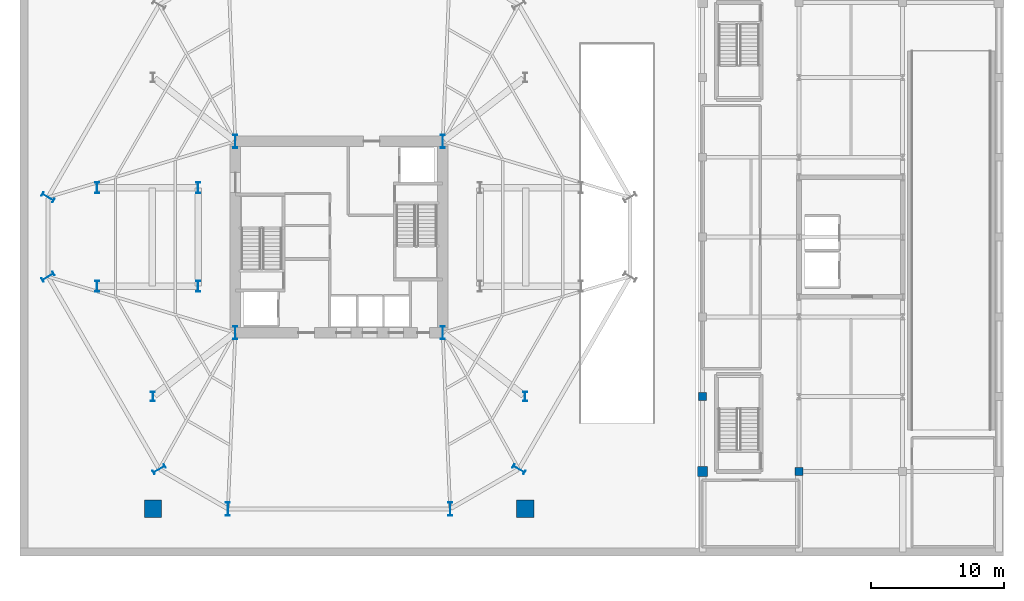
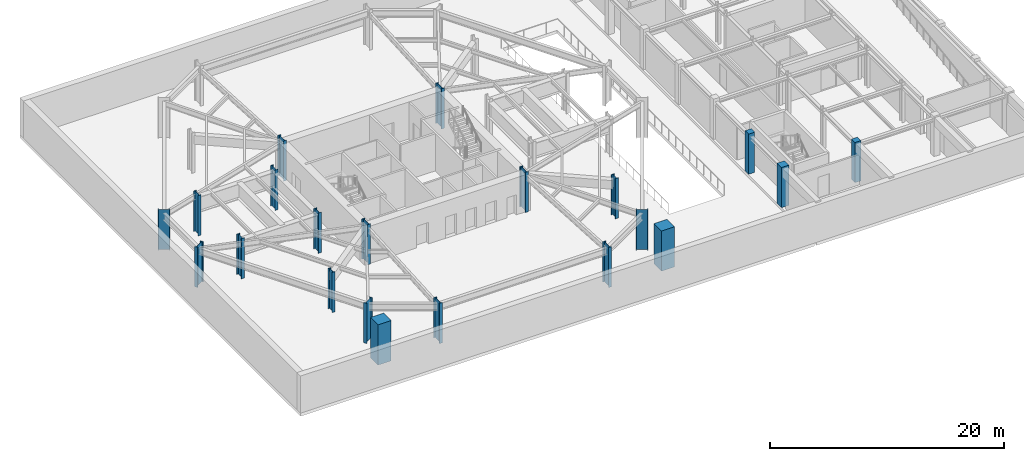
# One storey, part 1 of 12: 21 columns.
"""IFC4 building model written with IfcOpenShell, lengths in metres."""

import ifcopenshell
import ifcopenshell.guid

model = None  # the IFC model being written
_history = None  # IfcOwnerHistory: only IFC2X3 demands one
_inside = {}  # id of a spatial element -> (the spatial element, [elements in it])
_under = {}  # id of a project, library or spatial element -> (it, [spatial elements below it])
_declared = {}  # id of a project -> (the project, [libraries it declares])
_typed = {}  # id of a type object -> (the type object, [elements of that type])
_made_of = {}  # id of a material, layer set ... -> (it, [elements and type objects made of it])


def new_model(schema):
    """Start an empty IFC model of exactly this schema.

    Asked for "IFC4X3", IfcOpenShell would pick the latest addendum, in which some entities
    have other attributes; the version numbers below select the first issue.
    IFC2X3 requires an IfcOwnerHistory on every rooted entity: one is made here for all.
    """
    global model, _history
    if schema == "IFC4X3":
        model = ifcopenshell.file(schema_version=(4, 3, 0, 0))
    else:
        model = ifcopenshell.file(schema=schema)
    _inside.clear()
    _under.clear()
    _declared.clear()
    _typed.clear()
    _made_of.clear()
    _history = None
    if model.schema == "IFC2X3":
        org = make("IfcOrganization", Name="unknown")
        user = make(
            "IfcPersonAndOrganization",
            ThePerson=make("IfcPerson", FamilyName="unknown"),
            TheOrganization=org,
        )
        app = make(
            "IfcApplication",
            ApplicationDeveloper=org,
            Version="unknown",
            ApplicationFullName="unknown",
            ApplicationIdentifier="unknown",
        )
        _history = make(
            "IfcOwnerHistory",
            OwningUser=user,
            OwningApplication=app,
            ChangeAction="ADDED",
            CreationDate=0,
        )
    return model


def make(cls, **values):
    """One entity of the class cls with the attributes given. An attribute that is None is left unset."""
    return model.create_entity(
        cls, **{name: value for name, value in values.items() if value is not None}
    )


def rooted(cls, **values):
    """An entity with a GlobalId (a new one), such as an element, a storey or a relation."""
    return make(cls, GlobalId=ifcopenshell.guid.new(), OwnerHistory=_history, **values)


def si_unit(unit_type, name, prefix=None):
    """IfcSIUnit, for example si_unit("LENGTHUNIT", "METRE", prefix="MILLI")."""
    return make("IfcSIUnit", UnitType=unit_type, Prefix=prefix, Name=name)


def assignment(units):
    """IfcUnitAssignment: the units of a project."""
    return None if units is None else make("IfcUnitAssignment", Units=units)


def point(xyz):
    """IfcCartesianPoint."""
    return None if xyz is None else make("IfcCartesianPoint", Coordinates=xyz)


def direction(xyz):
    """IfcDirection."""
    return None if xyz is None else make("IfcDirection", DirectionRatios=xyz)


def frame(location, z_axis=None, x_axis=None):
    """IfcAxis2Placement3D, a coordinate frame: its origin and axes. An axis left out is left unset."""
    return make(
        "IfcAxis2Placement3D",
        Location=point(location),
        Axis=direction(z_axis),
        RefDirection=direction(x_axis),
    )


def frame_2d(location, x_axis=None):
    """IfcAxis2Placement2D, a coordinate frame in the plane: its origin and x axis."""
    return make(
        "IfcAxis2Placement2D", Location=point(location), RefDirection=direction(x_axis)
    )


def origin():
    """The frame at (0, 0, 0) with its axes left unset."""
    return frame((0.0, 0.0, 0.0))


def origin_2d():
    """The frame at (0, 0) in the plane with its x axis left unset."""
    return frame_2d((0.0, 0.0))


def place(relative_to, where):
    """IfcLocalPlacement: puts the frame where relative to a parent placement (None: the world)."""
    return make(
        "IfcLocalPlacement", PlacementRelTo=relative_to, RelativePlacement=where
    )


def context(
    kind, dimensions, precision=None, world=None, true_north=None, identifier=None
):
    """IfcGeometricRepresentationContext, for example the 3D "Model" context."""
    return make(
        "IfcGeometricRepresentationContext",
        ContextIdentifier=identifier,
        ContextType=kind,
        CoordinateSpaceDimension=dimensions,
        Precision=precision,
        WorldCoordinateSystem=world,
        TrueNorth=true_north,
    )


def subcontext(parent, identifier, kind, view, scale=None):
    """IfcGeometricRepresentationSubContext, for example "Body" below "Model"."""
    return make(
        "IfcGeometricRepresentationSubContext",
        ContextIdentifier=identifier,
        ContextType=kind,
        ParentContext=parent,
        TargetScale=scale,
        TargetView=view,
    )


def project(units=None, contexts=None):
    """IfcProject with its units and contexts."""
    return rooted(
        "IfcProject",
        Name="project",
        RepresentationContexts=contexts,
        UnitsInContext=assignment(units),
    )


def spatial(cls, under=None, at=None, **own):
    """A site, building, storey or space (cls), placed at a placement, below another one or the project."""
    s = rooted(cls, ObjectPlacement=at, **own)
    if under is not None:
        _under.setdefault(under.id(), (under, []))[1].append(s)
    return s


def profile(cls, at=None, kind="AREA", **sizes):
    """A parametric profile (cls). Its sizes go by their IFC names, for example OverallWidth=200.0."""
    return make(cls, ProfileType=kind, Position=at, **sizes)


def rectangle(**sizes):
    """IfcRectangleProfileDef."""
    return profile("IfcRectangleProfileDef", **sizes)


def i_section(**sizes):
    """IfcIShapeProfileDef."""
    return profile("IfcIShapeProfileDef", **sizes)


def extrude(swept, where, along, depth):
    """IfcExtrudedAreaSolid: the profile swept, set in the frame where, extruded along a direction by depth."""
    return make(
        "IfcExtrudedAreaSolid",
        SweptArea=swept,
        Position=where,
        ExtrudedDirection=direction(along),
        Depth=depth,
    )


def shape(context_of_items, identifier, shape_type, items):
    """IfcShapeRepresentation: the items that make up one representation, for example the "Body"."""
    return make(
        "IfcShapeRepresentation",
        ContextOfItems=context_of_items,
        RepresentationIdentifier=identifier,
        RepresentationType=shape_type,
        Items=items,
    )


def material(Name=None, Category=None):
    """IfcMaterial."""
    return make("IfcMaterial", Name=Name, Category=Category)


def material_profile(
    of_material, cross_section, Name=None, Category=None, Priority=None
):
    """IfcMaterialProfile: a cross section and its material."""
    return make(
        "IfcMaterialProfile",
        Name=Name,
        Material=of_material,
        Profile=cross_section,
        Priority=Priority,
        Category=Category,
    )


def profile_set(profiles, Name=None, composite=None):
    """IfcMaterialProfileSet."""
    return make(
        "IfcMaterialProfileSet",
        Name=Name,
        MaterialProfiles=profiles,
        CompositeProfile=composite,
    )


def made_of(thing, what):
    """Note that an element or type object is made of a material, layer set ...; save() writes the relation."""
    if what is not None:
        _made_of.setdefault(what.id(), (what, []))[1].append(thing)
    return thing


def type_object(cls, material=None, **own):
    """A type object (cls), such as IfcWallType, which elements share."""
    return made_of(rooted(cls, **own), material)


def element(
    cls,
    number,
    at=None,
    inside=None,
    cuts=None,
    type_object=None,
    material=None,
    context=None,
    identifier="Body",
    shape_type=None,
    held_by="IfcProductDefinitionShape",
    body=None,
    shapes=None,
    **own,
):
    """One element of the class cls, such as IfcWall. Its Tag is "e" and its number.

    at: its placement. inside: the storey or other place that contains it. cuts: it is an
    opening in that element (IfcRelVoidsElement). A single representation is given by context,
    identifier, shape_type and body (its items); several are given by shapes. held_by: the class
    of the entity that holds the representations. save() writes the other relations.
    """
    e = rooted(cls, Tag="e%d" % number, ObjectPlacement=at, **own)
    if body is not None:
        shapes = [shape(context, identifier, shape_type, body)]
    if shapes is not None:
        e.Representation = make(held_by, Representations=shapes)
    if inside is not None:
        _inside.setdefault(inside.id(), (inside, []))[1].append(e)
    if cuts is not None:
        rooted(
            "IfcRelVoidsElement", RelatingBuildingElement=cuts, RelatedOpeningElement=e
        )
    if type_object is not None:
        _typed.setdefault(type_object.id(), (type_object, []))[1].append(e)
    return made_of(e, material)


def aggregate(whole, parts):
    """IfcRelAggregates: a whole, such as a stair, and the parts it consists of."""
    return rooted("IfcRelAggregates", RelatingObject=whole, RelatedObjects=parts)


def save(model, path):
    """Write the relations noted so far, then the file.

    IfcRelAggregates (storeys below a building ...), IfcRelContainedInSpatialStructure (elements
    in a storey), IfcRelDefinesByType, IfcRelAssociatesMaterial and IfcRelDeclares: one each for
    every whole, place, type object, material and project.
    """
    for whole, parts in _under.values():
        aggregate(whole, parts)
    for where, things in _inside.values():
        rooted(
            "IfcRelContainedInSpatialStructure",
            RelatedElements=things,
            RelatingStructure=where,
        )
    for kind, things in _typed.values():
        rooted("IfcRelDefinesByType", RelatedObjects=things, RelatingType=kind)
    for what, things in _made_of.values():
        rooted("IfcRelAssociatesMaterial", RelatedObjects=things, RelatingMaterial=what)
    for by, libraries in _declared.values():
        rooted("IfcRelDeclares", RelatingContext=by, RelatedDefinitions=libraries)
    model.write(path)


model = new_model("IFC4")

# Units and contexts
model_context = context("Model", 3, precision=1e-05, world=origin(), true_north=direction((0.0, 1.0)))
body_context = subcontext(model_context, "Body", "Model", "MODEL_VIEW")
ifc_project = project(units=[si_unit("LENGTHUNIT", "METRE"), si_unit("AREAUNIT", "SQUARE_METRE"), si_unit("VOLUMEUNIT", "CUBIC_METRE"), si_unit("PLANEANGLEUNIT", "RADIAN"), si_unit("MASSUNIT", "GRAM", prefix="KILO")], contexts=[model_context])

# Site, building, storey
site_placement = place(None, origin())
site = spatial("IfcSite", under=ifc_project, at=site_placement, CompositionType="ELEMENT")
building_placement = place(site_placement, origin())
building = spatial("IfcBuilding", under=site, at=building_placement, Name="Kranzbogen Civic Tower", CompositionType="ELEMENT")
storey_placement = place(building_placement, frame((0.0, 0.0, -4.199951171875)))
storey = spatial("IfcBuildingStorey", under=building, at=storey_placement, Name="B01", CompositionType="ELEMENT", Elevation=-4.199951171875)

# Columns
ifc_material_1 = material(Name="Steel S460", Category="steel")
ifc_material_profile_1 = material_profile(ifc_material_1, i_section(OverallWidth=0.302001953125, OverallDepth=1.008056640625, WebThickness=0.02099609375, FlangeThickness=0.0400390625, at=origin_2d()), Name="HEM 1000")
ifc_profile_set_1 = profile_set([ifc_material_profile_1], Name="Steel S460")
column_type_1 = type_object("IfcColumnType", Name="Structural Column HEM 1000", PredefinedType="COLUMN", material=ifc_profile_set_1)
for number, where, z_axis, x_axis, name in (
    (1, (17.199951171875, 17.800048828125, 0.0), (0.0, 0.0, 1.0), (1.0, 0.0, 0.0), "B01 composite core corner column 1"),
    (2, (32.800048828125, 17.800048828125, 0.0), (0.0, 0.0, 1.0), (1.0, 0.0, 0.0), "B01 composite core corner column 2"),
    (3, (32.800048828125, 32.199951171875, 0.0), (0.0, 0.0, 1.0), (1.0, 0.0, 0.0), "B01 composite core corner column 3"),
    (4, (17.199951171875, 32.199951171875, 0.0), (0.0, 0.0, 1.0), (1.0, 0.0, 0.0), "B01 composite core corner column 4"),
    (5, (3.110107421875, 27.986083984375, 0.0), (0.0, 0.0, 1.0), (0.5, 0.866025403784, 0.0), "B01 tower perimeter tube column 06"),
    (6, (3.110107421875, 22.013916015625, 0.0), (0.0, 0.0, 1.0), (-0.5, 0.866025403784, 0.0), "B01 tower perimeter tube column 07"),
    (7, (11.468994140625, 7.535888671875, 0.0), (0.0, 0.0, 1.0), (-0.5, 0.866025403784, 0.0), "B01 tower perimeter tube column 08"),
    (8, (16.64111328125, 4.550048828125, 0.0), (0.0, 0.0, 1.0), (1.0, 0.0, 0.0), "B01 tower perimeter tube column 09"),
    (9, (33.35888671875, 4.550048828125, 0.0), (0.0, 0.0, 1.0), (1.0, 0.0, 0.0), "B01 tower perimeter tube column 10"),
    (10, (38.531005859375, 7.535888671875, 0.0), (0.0, 0.0, 1.0), (0.5, 0.866025403784, 0.0), "B01 tower perimeter tube column 11"),
):
    element("IfcColumn", number, at=place(storey_placement, frame(where, z_axis=z_axis, x_axis=x_axis)), inside=storey, type_object=column_type_1, Name=name, PredefinedType="COLUMN", context=body_context, shape_type="SweptSolid", body=[
        extrude(i_section(OverallWidth=0.302001953125, OverallDepth=1.008056640625, WebThickness=0.02099609375, FlangeThickness=0.0400390625, at=origin_2d()), origin(), (0.0, 0.0, 1.0), 4.199951171875),
    ])
ifc_material_profile_2 = material_profile(ifc_material_1, i_section(OverallWidth=0.303955078125, OverallDepth=0.716064453125, WebThickness=0.02099609375, FlangeThickness=0.0400390625, at=origin_2d()), Name="HEM 700")
ifc_profile_set_2 = profile_set([ifc_material_profile_2], Name="Steel S460")
column_type_2 = type_object("IfcColumnType", Name="Structural Column HEM 700", PredefinedType="COLUMN", material=ifc_profile_set_2)
for number, where, z_axis, x_axis, name in (
    (11, (11.0, 13.0, 0.0), (0.0, 0.0, 1.0), (1.0, 0.0, 0.0), "B01 basement auxiliary column 1"),
    (12, (39.0, 13.0, 0.0), (0.0, 0.0, 1.0), (1.0, 0.0, 0.0), "B01 basement auxiliary column 2"),
):
    element("IfcColumn", number, at=place(storey_placement, frame(where, z_axis=z_axis, x_axis=x_axis)), inside=storey, type_object=column_type_2, Name=name, PredefinedType="COLUMN", context=body_context, shape_type="SweptSolid", body=[
        extrude(i_section(OverallWidth=0.303955078125, OverallDepth=0.716064453125, WebThickness=0.02099609375, FlangeThickness=0.0400390625, at=origin_2d()), origin(), (0.0, 0.0, 1.0), 4.199951171875),
    ])
ifc_material_profile_3 = material_profile(ifc_material_1, i_section(OverallWidth=0.302978515625, OverallDepth=0.81396484375, WebThickness=0.02099609375, FlangeThickness=0.0400390625, at=origin_2d()), Name="HEM 800")
ifc_profile_set_3 = profile_set([ifc_material_profile_3], Name="Steel S460")
column_type_3 = type_object("IfcColumnType", Name="Structural Column HEM 800", PredefinedType="COLUMN", material=ifc_profile_set_3)
for number, where, z_axis, x_axis, name in (
    (13, (14.39990234375, 21.300048828125, 0.0), (0.0, 0.0, 1.0), (1.0, 0.0, 0.0), "B01 STP1 inner support column 1"),
    (14, (6.800048828125, 21.300048828125, 0.0), (0.0, 0.0, 1.0), (1.0, 0.0, 0.0), "B01 STP1 outer support column 1"),
    (15, (14.39990234375, 28.699951171875, 0.0), (0.0, 0.0, 1.0), (1.0, 0.0, 0.0), "B01 STP1 inner support column 2"),
    (16, (6.800048828125, 28.699951171875, 0.0), (0.0, 0.0, 1.0), (1.0, 0.0, 0.0), "B01 STP1 outer support column 2"),
):
    element("IfcColumn", number, at=place(storey_placement, frame(where, z_axis=z_axis, x_axis=x_axis)), inside=storey, type_object=column_type_3, Name=name, PredefinedType="COLUMN", context=body_context, shape_type="SweptSolid", body=[
        extrude(i_section(OverallWidth=0.302978515625, OverallDepth=0.81396484375, WebThickness=0.02099609375, FlangeThickness=0.0400390625, at=origin_2d()), origin(), (0.0, 0.0, 1.0), 4.199951171875),
    ])
ifc_material_2 = material(Name="Concrete C55/67", Category="concrete")
ifc_material_profile_4 = material_profile(ifc_material_2, rectangle(XDim=1.300048828125, YDim=1.300048828125, at=origin_2d()), Name="RC 1300x1300")
ifc_profile_set_4 = profile_set([ifc_material_profile_4], Name="Concrete C55/67")
column_type_4 = type_object("IfcColumnType", Name="Structural Column RC 1300x1300", PredefinedType="COLUMN", material=ifc_profile_set_4)
for number, where, z_axis, x_axis, name in (
    (17, (11.0, 4.550048828125, 0.0), (0.0, 0.0, 1.0), (1.0, 0.0, 0.0), "B01 portal arch corner pier 1"),
    (18, (39.0, 4.550048828125, 0.0), (0.0, 0.0, 1.0), (1.0, 0.0, 0.0), "B01 portal arch corner pier 2"),
):
    element("IfcColumn", number, at=place(storey_placement, frame(where, z_axis=z_axis, x_axis=x_axis)), inside=storey, type_object=column_type_4, Name=name, PredefinedType="COLUMN", context=body_context, shape_type="SweptSolid", body=[
        extrude(rectangle(XDim=1.300048828125, YDim=1.300048828125, at=origin_2d()), origin(), (0.0, 0.0, 1.0), 4.199951171875),
    ])
ifc_material_3 = material(Name="Concrete C40/50", Category="concrete")
ifc_material_profile_5 = material_profile(ifc_material_3, rectangle(XDim=0.60009765625, YDim=0.60009765625, at=origin_2d()), Name="RC 600x600")
ifc_profile_set_5 = profile_set([ifc_material_profile_5], Name="Concrete C40/50")
column_type_5 = type_object("IfcColumnType", Name="Structural Column RC 600x600", PredefinedType="COLUMN", material=ifc_profile_set_5)
for number, where, z_axis, x_axis, name in (
    (19, (52.35009765625, 13.0, 0.0), (0.0, 0.0, 1.0), (1.0, 0.0, 0.0), "B01 Health Centre column 10/C"),
    (20, (59.60009765625, 7.35009765625, 0.0), (0.0, 0.0, 1.0), (1.0, 0.0, 0.0), "B01 Health Centre column 11/B"),
):
    element("IfcColumn", number, at=place(storey_placement, frame(where, z_axis=z_axis, x_axis=x_axis)), inside=storey, type_object=column_type_5, Name=name, PredefinedType="COLUMN", context=body_context, shape_type="SweptSolid", body=[
        extrude(rectangle(XDim=0.60009765625, YDim=0.60009765625, at=origin_2d()), origin(), (0.0, 0.0, 1.0), 4.199951171875),
    ])
ifc_material_profile_6 = material_profile(ifc_material_3, rectangle(XDim=0.75, YDim=0.75, at=origin_2d()), Name="RC 750x750")
ifc_profile_set_6 = profile_set([ifc_material_profile_6], Name="Concrete C40/50")
column_type_6 = type_object("IfcColumnType", Name="Structural Column RC 750x750", PredefinedType="COLUMN", material=ifc_profile_set_6)
column_placement = place(storey_placement, frame((52.35009765625, 7.35009765625, 0.0), z_axis=(0.0, 0.0, 1.0), x_axis=(1.0, 0.0, 0.0)))
element("IfcColumn", 21, at=column_placement, inside=storey, type_object=column_type_6, Name="B01 Health Centre column 10/B", PredefinedType="COLUMN", context=body_context, shape_type="SweptSolid", body=[
    extrude(rectangle(XDim=0.75, YDim=0.75, at=origin_2d()), origin(), (0.0, 0.0, 1.0), 4.199951171875),
])

save(model, "model.ifc")
